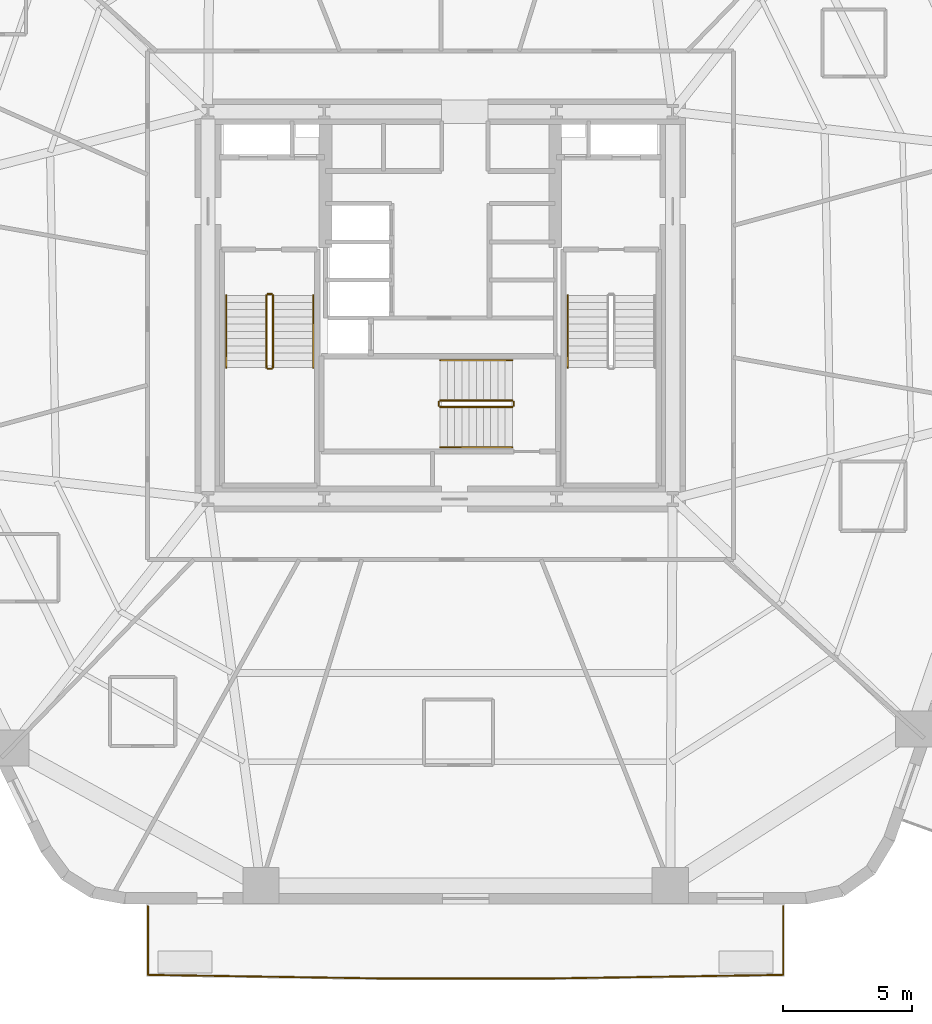
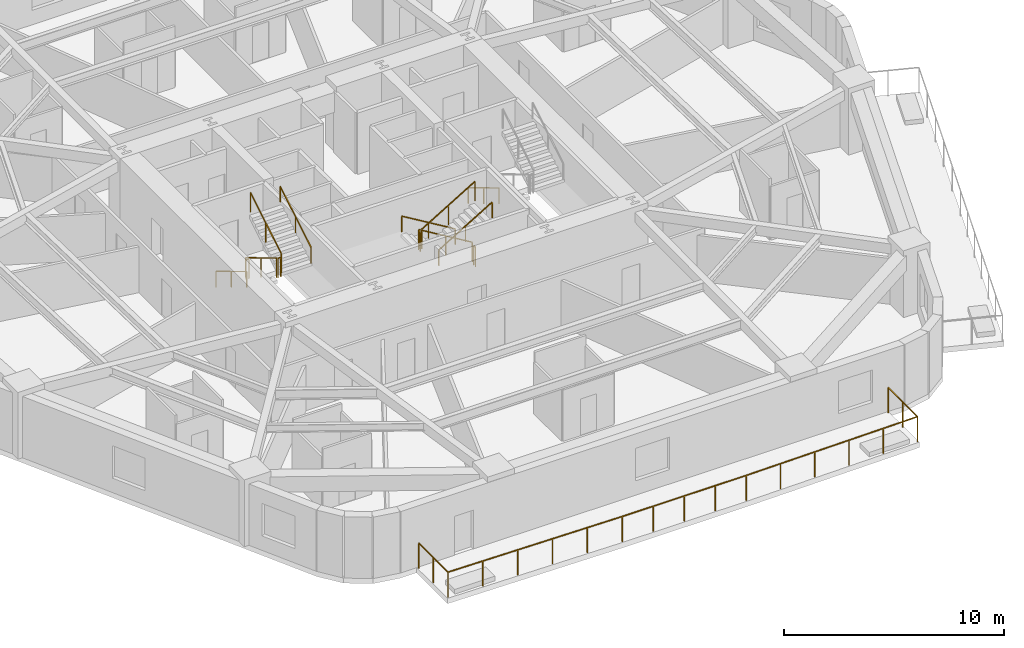
# One storey, part 8 of 10: 14 railings.
"""IFC4 building model written with IfcOpenShell, lengths in metres."""

from ifc_helpers import new_model, si_unit, direction, frame, origin, origin_2d, place, context, subcontext, project, spatial, rectangle, extrude, material, layer, layer_set, type_object, element, save


model = new_model("IFC4")

# Units and contexts
model_context = context("Model", 3, precision=1e-05, world=origin(), true_north=direction((0.0, 1.0)))
body_context = subcontext(model_context, "Body", "Model", "MODEL_VIEW")
ifc_project = project(units=[si_unit("LENGTHUNIT", "METRE"), si_unit("AREAUNIT", "SQUARE_METRE"), si_unit("VOLUMEUNIT", "CUBIC_METRE"), si_unit("PLANEANGLEUNIT", "RADIAN"), si_unit("MASSUNIT", "GRAM", prefix="KILO")], contexts=[model_context])

# Site, building, storey
site_placement = place(None, origin())
site = spatial("IfcSite", under=ifc_project, at=site_placement, CompositionType="ELEMENT")
building_placement = place(site_placement, origin())
building = spatial("IfcBuilding", under=site, at=building_placement, Name="Kilnhurst Terrace Hotel", CompositionType="ELEMENT")
storey_placement = place(building_placement, frame((0.0, 0.0, 71.199951171875)))
storey = spatial("IfcBuildingStorey", under=building, at=storey_placement, Name="L16", CompositionType="ELEMENT", Elevation=71.199951171875)

# Railings
ifc_material_1 = material(Name="Laminated SentryGlas and Stainless Steel AISI 316L Balustrade", Category="steel")
ifc_layer_1 = layer(ifc_material_1, 0.070068359375, Name="Laminated SentryGlas and Stainless Steel AISI 316L Balustrade")
ifc_layer_set_1 = layer_set([ifc_layer_1], Name="Laminated SentryGlas and Stainless Steel AISI 316L Balustrade")
railing_type_1 = type_object("IfcRailingType", Name="RLG-BAL-1420", PredefinedType="BALUSTRADE", material=ifc_layer_set_1)
railing_1_placement = place(storey_placement, frame((13.281494140625, -23.280029296875, 0.0)))
element("IfcRailing", 1, at=railing_1_placement, inside=storey, type_object=railing_type_1, Name="L16 Exterior Terrace Guardrail BAL-L1A.1", PredefinedType="BALUSTRADE", context=body_context, shape_type="SweptSolid", body=[
    extrude(rectangle(XDim=0.048095703125, YDim=0.048095703125, at=origin_2d()), frame((0.0, 0.0, 1.39599609375), z_axis=(0.0, -1.0, 0.0), x_axis=(1.0, 0.0, 0.0)), (0.0, 0.0, 1.0), 2.660888671875),
    extrude(rectangle(XDim=0.048095703125, YDim=0.048095703125, at=origin_2d()), frame((0.0, -2.660888671875, 1.39599609375), z_axis=(-0.999881869157, -0.015370352358, 0.0), x_axis=(0.015370352358, -0.999881869157, 0.0)), (0.0, 0.0, 1.0), 9.0537109375),
    extrude(rectangle(XDim=0.048095703125, YDim=0.048095703125, at=origin_2d()), frame((-9.052734375, -2.800048828125, 1.39599609375), z_axis=(-1.0, 0.0, 0.0), x_axis=(0.0, -1.0, 0.0)), (0.0, 0.0, 1.0), 6.508056640625),
    extrude(rectangle(XDim=0.048095703125, YDim=0.048095703125, at=origin_2d()), frame((-15.560791015625, -2.800048828125, 1.39599609375), z_axis=(-0.999881869157, 0.015370352358, 0.0), x_axis=(-0.015370352358, -0.999881869157, 0.0)), (0.0, 0.0, 1.0), 9.0537109375),
    extrude(rectangle(XDim=0.048095703125, YDim=0.048095703125, at=origin_2d()), frame((-24.613525390625, -2.660888671875, 1.39599609375), z_axis=(0.0, 1.0, 0.0), x_axis=(-1.0, 0.0, 0.0)), (0.0, 0.0, 1.0), 2.660888671875),
    extrude(rectangle(XDim=0.0419921875, YDim=0.0419921875, at=origin_2d()), origin(), (0.0, 0.0, 1.0), 1.371826171875),
    extrude(rectangle(XDim=0.0419921875, YDim=0.0419921875, at=origin_2d()), frame((0.0, -1.33056640625, 0.0)), (0.0, 0.0, 1.0), 1.371826171875),
    extrude(rectangle(XDim=0.0419921875, YDim=0.0419921875, at=origin_2d()), frame((0.0, -2.660888671875, 0.0)), (0.0, 0.0, 1.0), 1.371826171875),
    extrude(rectangle(XDim=0.0419921875, YDim=0.0419921875, at=origin_2d()), frame((-1.810546875, -2.688720703125, 0.0)), (0.0, 0.0, 1.0), 1.371826171875),
    extrude(rectangle(XDim=0.0419921875, YDim=0.0419921875, at=origin_2d()), frame((-3.62109375, -2.716552734375, 0.0)), (0.0, 0.0, 1.0), 1.371826171875),
    extrude(rectangle(XDim=0.0419921875, YDim=0.0419921875, at=origin_2d()), frame((-5.431640625, -2.744384765625, 0.0)), (0.0, 0.0, 1.0), 1.371826171875),
    extrude(rectangle(XDim=0.0419921875, YDim=0.0419921875, at=origin_2d()), frame((-7.2421875, -2.772216796875, 0.0)), (0.0, 0.0, 1.0), 1.371826171875),
    extrude(rectangle(XDim=0.0419921875, YDim=0.0419921875, at=origin_2d()), frame((-9.052734375, -2.800048828125, 0.0)), (0.0, 0.0, 1.0), 1.371826171875),
    extrude(rectangle(XDim=0.0419921875, YDim=0.0419921875, at=origin_2d()), frame((-10.6796875, -2.800048828125, 0.0)), (0.0, 0.0, 1.0), 1.371826171875),
    extrude(rectangle(XDim=0.0419921875, YDim=0.0419921875, at=origin_2d()), frame((-12.306640625, -2.800048828125, 0.0)), (0.0, 0.0, 1.0), 1.371826171875),
    extrude(rectangle(XDim=0.0419921875, YDim=0.0419921875, at=origin_2d()), frame((-13.933837890625, -2.800048828125, 0.0)), (0.0, 0.0, 1.0), 1.371826171875),
    extrude(rectangle(XDim=0.0419921875, YDim=0.0419921875, at=origin_2d()), frame((-15.560791015625, -2.800048828125, 0.0)), (0.0, 0.0, 1.0), 1.371826171875),
    extrude(rectangle(XDim=0.0419921875, YDim=0.0419921875, at=origin_2d()), frame((-17.371337890625, -2.772216796875, 0.0)), (0.0, 0.0, 1.0), 1.371826171875),
    extrude(rectangle(XDim=0.0419921875, YDim=0.0419921875, at=origin_2d()), frame((-19.181884765625, -2.744384765625, 0.0)), (0.0, 0.0, 1.0), 1.371826171875),
    extrude(rectangle(XDim=0.0419921875, YDim=0.0419921875, at=origin_2d()), frame((-20.992431640625, -2.716552734375, 0.0)), (0.0, 0.0, 1.0), 1.371826171875),
    extrude(rectangle(XDim=0.0419921875, YDim=0.0419921875, at=origin_2d()), frame((-22.802978515625, -2.688720703125, 0.0)), (0.0, 0.0, 1.0), 1.371826171875),
    extrude(rectangle(XDim=0.0419921875, YDim=0.0419921875, at=origin_2d()), frame((-24.613525390625, -2.660888671875, 0.0)), (0.0, 0.0, 1.0), 1.371826171875),
    extrude(rectangle(XDim=0.0419921875, YDim=0.0419921875, at=origin_2d()), frame((-24.613525390625, -1.33056640625, 0.0)), (0.0, 0.0, 1.0), 1.371826171875),
    extrude(rectangle(XDim=0.0419921875, YDim=0.0419921875, at=origin_2d()), frame((-24.613525390625, 0.0, 0.0)), (0.0, 0.0, 1.0), 1.371826171875),
])
ifc_material_2 = material(Name="Powder-Coated Steel ASTM A500 Grade B", Category="steel")
ifc_layer_2 = layer(ifc_material_2, 0.050048828125, Name="Powder-Coated Steel ASTM A500 Grade B")
ifc_layer_set_2 = layer_set([ifc_layer_2], Name="Powder-Coated Steel ASTM A500 Grade B")
railing_type_2 = type_object("IfcRailingType", Name="RLG-ST-GRD-1100", PredefinedType="GUARDRAIL", material=ifc_layer_set_2)
railing_2_placement = place(storey_placement, frame((-6.739990234375, 0.389892578125, 0.168212890625)))
element("IfcRailing", 2, at=railing_2_placement, inside=storey, type_object=railing_type_2, Name="L16 ST-1 stair guard 1", PredefinedType="GUARDRAIL", context=body_context, shape_type="SweptSolid", body=[
    extrude(rectangle(XDim=0.048095703125, YDim=0.048095703125, at=origin_2d()), frame((0.0, 0.0, 1.076171875), z_axis=(0.0, -0.857222391501, 0.514946377315), x_axis=(1.0, 0.0, 0.0)), (0.0, 0.0, 1.0), 3.26611328125),
    extrude(rectangle(XDim=0.0419921875, YDim=0.0419921875, at=origin_2d()), origin(), (0.0, 0.0, 1.0), 1.052001953125),
    extrude(rectangle(XDim=0.0419921875, YDim=0.0419921875, at=origin_2d()), frame((0.0, -1.39990234375, 0.8408203125)), (0.0, 0.0, 1.0), 1.052001953125),
    extrude(rectangle(XDim=0.0419921875, YDim=0.0419921875, at=origin_2d()), frame((0.0, -2.7998046875, 1.681884765625)), (0.0, 0.0, 1.0), 1.052001953125),
])
railing_3_placement = place(storey_placement, frame((-6.68994140625, -2.4599609375, 1.85009765625)))
element("IfcRailing", 3, at=railing_3_placement, inside=storey, type_object=railing_type_2, Name="L16 ST-1 stair guard 2", PredefinedType="GUARDRAIL", context=body_context, shape_type="SweptSolid", body=[
    extrude(rectangle(XDim=0.048095703125, YDim=0.048095703125, at=origin_2d()), frame((0.0, 0.0, 1.076171875), z_axis=(1.0, 0.0, 0.0), x_axis=(0.0, 1.0, 0.0)), (0.0, 0.0, 1.0), 0.14990234375),
    extrude(rectangle(XDim=0.0419921875, YDim=0.0419921875, at=origin_2d()), origin(), (0.0, 0.0, 1.0), 1.052001953125),
    extrude(rectangle(XDim=0.0419921875, YDim=0.0419921875, at=origin_2d()), frame((0.14990234375, 0.0, 0.0)), (0.0, 0.0, 1.0), 1.052001953125),
])
railing_4_placement = place(storey_placement, frame((-6.489990234375, -2.409912109375, 2.018310546875)))
element("IfcRailing", 4, at=railing_4_placement, inside=storey, type_object=railing_type_2, Name="L16 ST-1 stair guard 3", PredefinedType="GUARDRAIL", context=body_context, shape_type="SweptSolid", body=[
    extrude(rectangle(XDim=0.048095703125, YDim=0.048095703125, at=origin_2d()), frame((0.0, 0.0, 1.076171875), z_axis=(0.0, 0.857255387014, 0.514891446264), x_axis=(-1.0, 0.0, 0.0)), (0.0, 0.0, 1.0), 3.26611328125),
    extrude(rectangle(XDim=0.0419921875, YDim=0.0419921875, at=origin_2d()), origin(), (0.0, 0.0, 1.0), 1.052001953125),
    extrude(rectangle(XDim=0.0419921875, YDim=0.0419921875, at=origin_2d()), frame((0.0, 1.39990234375, 0.8408203125)), (0.0, 0.0, 1.0), 1.052001953125),
    extrude(rectangle(XDim=0.0419921875, YDim=0.0419921875, at=origin_2d()), frame((0.0, 2.7998046875, 1.681640625)), (0.0, 0.0, 1.0), 1.052001953125),
])
railing_5_placement = place(storey_placement, frame((-6.68994140625, 0.43994140625, 0.0)))
element("IfcRailing", 5, at=railing_5_placement, inside=storey, type_object=railing_type_2, Name="L16 ST-1 stair guard 4", PredefinedType="GUARDRAIL", context=body_context, shape_type="SweptSolid", body=[
    extrude(rectangle(XDim=0.048095703125, YDim=0.048095703125, at=origin_2d()), frame((0.0, 0.0, 1.076171875), z_axis=(1.0, 0.0, 0.0), x_axis=(0.0, 1.0, 0.0)), (0.0, 0.0, 1.0), 0.14990234375),
    extrude(rectangle(XDim=0.0419921875, YDim=0.0419921875, at=origin_2d()), origin(), (0.0, 0.0, 1.0), 1.052001953125),
    extrude(rectangle(XDim=0.0419921875, YDim=0.0419921875, at=origin_2d()), frame((0.14990234375, 0.0, 0.0)), (0.0, 0.0, 1.0), 1.052001953125),
])
railing_6_placement = place(storey_placement, frame((2.7900390625, -3.68994140625, 0.168212890625)))
element("IfcRailing", 6, at=railing_6_placement, inside=storey, type_object=railing_type_2, Name="L16 ST-3 stair guard 1", PredefinedType="GUARDRAIL", context=body_context, shape_type="SweptSolid", body=[
    extrude(rectangle(XDim=0.048095703125, YDim=0.048095703125, at=origin_2d()), frame((0.0, 0.0, 1.076171875), z_axis=(-0.857242210791, 0.0, 0.514913383045), x_axis=(0.0, -1.0, 0.0)), (0.0, 0.0, 1.0), 3.266357421875),
    extrude(rectangle(XDim=0.0419921875, YDim=0.0419921875, at=origin_2d()), origin(), (0.0, 0.0, 1.0), 1.052001953125),
    extrude(rectangle(XDim=0.0419921875, YDim=0.0419921875, at=origin_2d()), frame((-1.39990234375, 0.0, 0.8408203125)), (0.0, 0.0, 1.0), 1.052001953125),
    extrude(rectangle(XDim=0.0419921875, YDim=0.0419921875, at=origin_2d()), frame((-2.800048828125, 0.0, 1.681884765625)), (0.0, 0.0, 1.0), 1.052001953125),
])
railing_7_placement = place(storey_placement, frame((-0.06005859375, -3.739990234375, 1.85009765625)))
element("IfcRailing", 7, at=railing_7_placement, inside=storey, type_object=railing_type_2, Name="L16 ST-3 stair guard 2", PredefinedType="GUARDRAIL", context=body_context, shape_type="SweptSolid", body=[
    extrude(rectangle(XDim=0.048095703125, YDim=0.048095703125, at=origin_2d()), frame((0.0, 0.0, 1.076171875), z_axis=(0.0, -1.0, 0.0), x_axis=(1.0, 0.0, 0.0)), (0.0, 0.0, 1.0), 0.14990234375),
    extrude(rectangle(XDim=0.0419921875, YDim=0.0419921875, at=origin_2d()), origin(), (0.0, 0.0, 1.0), 1.052001953125),
    extrude(rectangle(XDim=0.0419921875, YDim=0.0419921875, at=origin_2d()), frame((0.0, -0.14990234375, 0.0)), (0.0, 0.0, 1.0), 1.052001953125),
])
railing_8_placement = place(storey_placement, frame((-0.010009765625, -3.93994140625, 2.018310546875)))
element("IfcRailing", 8, at=railing_8_placement, inside=storey, type_object=railing_type_2, Name="L16 ST-3 stair guard 3", PredefinedType="GUARDRAIL", context=body_context, shape_type="SweptSolid", body=[
    extrude(rectangle(XDim=0.048095703125, YDim=0.048095703125, at=origin_2d()), frame((0.0, 0.0, 1.076171875), z_axis=(0.857275202839, 0.0, 0.514858452973), x_axis=(0.0, 1.0, 0.0)), (0.0, 0.0, 1.0), 3.26611328125),
    extrude(rectangle(XDim=0.0419921875, YDim=0.0419921875, at=origin_2d()), origin(), (0.0, 0.0, 1.0), 1.052001953125),
    extrude(rectangle(XDim=0.0419921875, YDim=0.0419921875, at=origin_2d()), frame((1.39990234375, 0.0, 0.8408203125)), (0.0, 0.0, 1.0), 1.052001953125),
    extrude(rectangle(XDim=0.0419921875, YDim=0.0419921875, at=origin_2d()), frame((2.800048828125, 0.0, 1.681640625)), (0.0, 0.0, 1.0), 1.052001953125),
])
railing_9_placement = place(storey_placement, frame((2.840087890625, -3.739990234375, 0.0)))
element("IfcRailing", 9, at=railing_9_placement, inside=storey, type_object=railing_type_2, Name="L16 ST-3 stair guard 4", PredefinedType="GUARDRAIL", context=body_context, shape_type="SweptSolid", body=[
    extrude(rectangle(XDim=0.048095703125, YDim=0.048095703125, at=origin_2d()), frame((0.0, 0.0, 1.076171875), z_axis=(0.0, -1.0, 0.0), x_axis=(1.0, 0.0, 0.0)), (0.0, 0.0, 1.0), 0.14990234375),
    extrude(rectangle(XDim=0.0419921875, YDim=0.0419921875, at=origin_2d()), origin(), (0.0, 0.0, 1.0), 1.052001953125),
    extrude(rectangle(XDim=0.0419921875, YDim=0.0419921875, at=origin_2d()), frame((0.0, -0.14990234375, 0.0)), (0.0, 0.0, 1.0), 1.052001953125),
])
ifc_material_3 = material(Name="Brushed Stainless Steel AISI 304", Category="steel")
ifc_layer_3 = layer(ifc_material_3, 0.048095703125, Name="Brushed Stainless Steel AISI 304")
ifc_layer_set_3 = layer_set([ifc_layer_3], Name="Brushed Stainless Steel AISI 304")
railing_type_3 = type_object("IfcRailingType", Name="RLG-ST-HRL-900", PredefinedType="HANDRAIL", material=ifc_layer_set_3)
railing_10_placement = place(storey_placement, frame((-8.300048828125, 0.389892578125, 0.168212890625)))
element("IfcRailing", 10, at=railing_10_placement, inside=storey, type_object=railing_type_3, Name="L16 ST-1 stair handrail 1", PredefinedType="HANDRAIL", context=body_context, shape_type="SweptSolid", body=[
    extrude(rectangle(XDim=0.048095703125, YDim=0.048095703125, at=origin_2d()), frame((0.0, 0.0, 0.8759765625), z_axis=(0.0, -0.857222391501, 0.514946377315), x_axis=(1.0, 0.0, 0.0)), (0.0, 0.0, 1.0), 3.26611328125),
    extrude(rectangle(XDim=0.0419921875, YDim=0.0419921875, at=origin_2d()), origin(), (0.0, 0.0, 1.0), 0.851806640625),
    extrude(rectangle(XDim=0.0419921875, YDim=0.0419921875, at=origin_2d()), frame((0.0, -1.39990234375, 0.8408203125)), (0.0, 0.0, 1.0), 0.851806640625),
    extrude(rectangle(XDim=0.0419921875, YDim=0.0419921875, at=origin_2d()), frame((0.0, -2.7998046875, 1.681884765625)), (0.0, 0.0, 1.0), 0.851806640625),
])
railing_11_placement = place(storey_placement, frame((-4.929931640625, -2.409912109375, 2.018310546875)))
element("IfcRailing", 11, at=railing_11_placement, inside=storey, type_object=railing_type_3, Name="L16 ST-1 stair handrail 2", PredefinedType="HANDRAIL", context=body_context, shape_type="SweptSolid", body=[
    extrude(rectangle(XDim=0.048095703125, YDim=0.048095703125, at=origin_2d()), frame((0.0, 0.0, 0.8759765625), z_axis=(0.0, 0.857255387014, 0.514891446264), x_axis=(-1.0, 0.0, 0.0)), (0.0, 0.0, 1.0), 3.26611328125),
    extrude(rectangle(XDim=0.0419921875, YDim=0.0419921875, at=origin_2d()), origin(), (0.0, 0.0, 1.0), 0.851806640625),
    extrude(rectangle(XDim=0.0419921875, YDim=0.0419921875, at=origin_2d()), frame((0.0, 1.39990234375, 0.8408203125)), (0.0, 0.0, 1.0), 0.851806640625),
    extrude(rectangle(XDim=0.0419921875, YDim=0.0419921875, at=origin_2d()), frame((0.0, 2.7998046875, 1.681640625)), (0.0, 0.0, 1.0), 0.851806640625),
])
railing_12_placement = place(storey_placement, frame((4.929931640625, 0.389892578125, 0.168212890625)))
element("IfcRailing", 12, at=railing_12_placement, inside=storey, type_object=railing_type_3, Name="L16 ST-2 stair handrail 1", PredefinedType="HANDRAIL", context=body_context, shape_type="SweptSolid", body=[
    extrude(rectangle(XDim=0.048095703125, YDim=0.048095703125, at=origin_2d()), frame((0.0, 0.0, 0.8759765625), z_axis=(0.0, -0.857222391501, 0.514946377315), x_axis=(1.0, 0.0, 0.0)), (0.0, 0.0, 1.0), 3.26611328125),
    extrude(rectangle(XDim=0.0419921875, YDim=0.0419921875, at=origin_2d()), origin(), (0.0, 0.0, 1.0), 0.851806640625),
    extrude(rectangle(XDim=0.0419921875, YDim=0.0419921875, at=origin_2d()), frame((0.0, -1.39990234375, 0.8408203125)), (0.0, 0.0, 1.0), 0.851806640625),
    extrude(rectangle(XDim=0.0419921875, YDim=0.0419921875, at=origin_2d()), frame((0.0, -2.7998046875, 1.681884765625)), (0.0, 0.0, 1.0), 0.851806640625),
])
railing_13_placement = place(storey_placement, frame((2.7900390625, -2.1298828125, 0.168212890625)))
element("IfcRailing", 13, at=railing_13_placement, inside=storey, type_object=railing_type_3, Name="L16 ST-3 stair handrail 1", PredefinedType="HANDRAIL", context=body_context, shape_type="SweptSolid", body=[
    extrude(rectangle(XDim=0.048095703125, YDim=0.048095703125, at=origin_2d()), frame((0.0, 0.0, 0.8759765625), z_axis=(-0.857242210791, 0.0, 0.514913383045), x_axis=(0.0, -1.0, 0.0)), (0.0, 0.0, 1.0), 3.266357421875),
    extrude(rectangle(XDim=0.0419921875, YDim=0.0419921875, at=origin_2d()), origin(), (0.0, 0.0, 1.0), 0.851806640625),
    extrude(rectangle(XDim=0.0419921875, YDim=0.0419921875, at=origin_2d()), frame((-1.39990234375, 0.0, 0.8408203125)), (0.0, 0.0, 1.0), 0.851806640625),
    extrude(rectangle(XDim=0.0419921875, YDim=0.0419921875, at=origin_2d()), frame((-2.800048828125, 0.0, 1.681884765625)), (0.0, 0.0, 1.0), 0.851806640625),
])
railing_14_placement = place(storey_placement, frame((-0.010009765625, -5.5, 2.018310546875)))
element("IfcRailing", 14, at=railing_14_placement, inside=storey, type_object=railing_type_3, Name="L16 ST-3 stair handrail 2", PredefinedType="HANDRAIL", context=body_context, shape_type="SweptSolid", body=[
    extrude(rectangle(XDim=0.048095703125, YDim=0.048095703125, at=origin_2d()), frame((0.0, 0.0, 0.8759765625), z_axis=(0.857275202839, 0.0, 0.514858452973), x_axis=(0.0, 1.0, 0.0)), (0.0, 0.0, 1.0), 3.26611328125),
    extrude(rectangle(XDim=0.0419921875, YDim=0.0419921875, at=origin_2d()), origin(), (0.0, 0.0, 1.0), 0.851806640625),
    extrude(rectangle(XDim=0.0419921875, YDim=0.0419921875, at=origin_2d()), frame((1.39990234375, 0.0, 0.8408203125)), (0.0, 0.0, 1.0), 0.851806640625),
    extrude(rectangle(XDim=0.0419921875, YDim=0.0419921875, at=origin_2d()), frame((2.800048828125, 0.0, 1.681640625)), (0.0, 0.0, 1.0), 0.851806640625),
])

save(model, "model.ifc")
